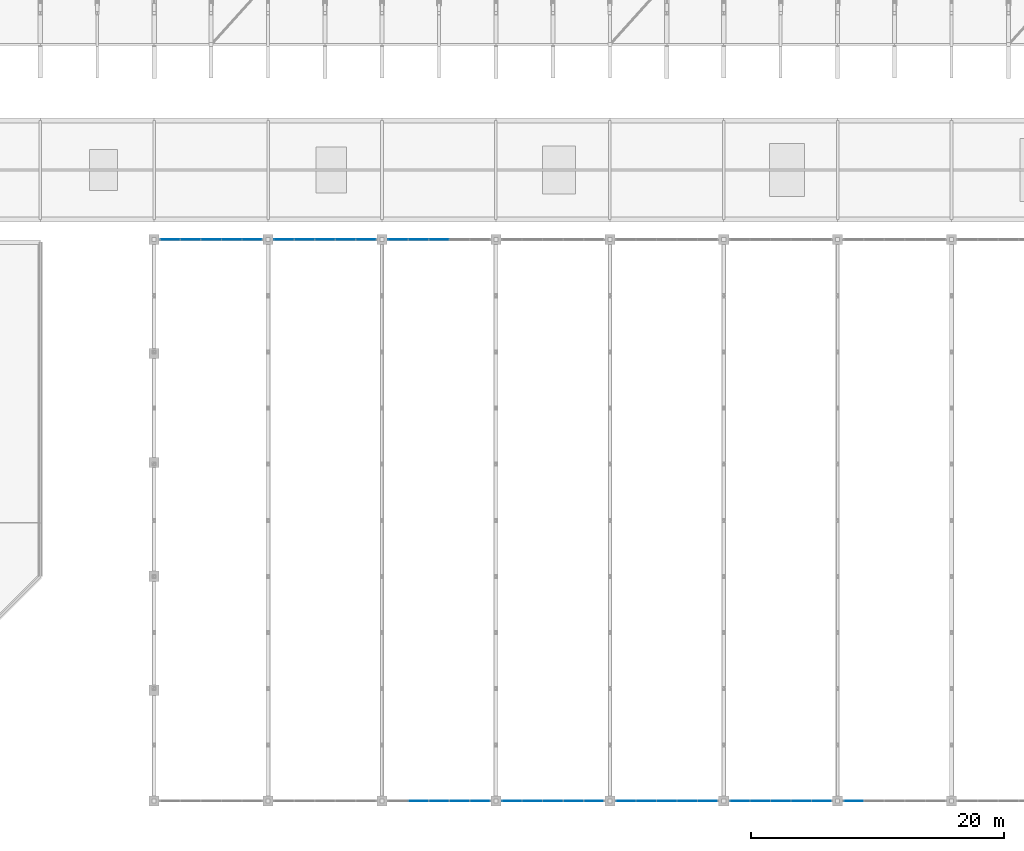
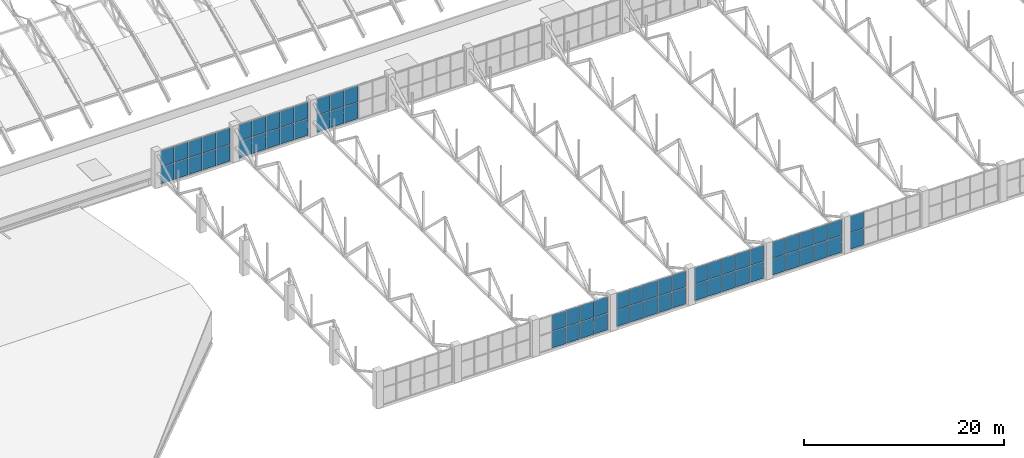
# One storey, part 73 of 103: 66 plates, 8 elements without a shape of their own.
"""IFC4 building model written with IfcOpenShell, lengths in metres."""

from ifc_helpers import new_model, si_unit, direction, frame, origin, origin_2d, place, context, subcontext, project, spatial, rectangle, extrude, material, layer, layer_set, type_object, element, aggregate, save


model = new_model("IFC4")

# Units and contexts
model_context = context("Model", 3, precision=1e-05, world=origin(), true_north=direction((0.0, 1.0)))
body_context = subcontext(model_context, "Body", "Model", "MODEL_VIEW")
ifc_project = project(units=[si_unit("LENGTHUNIT", "METRE"), si_unit("AREAUNIT", "SQUARE_METRE"), si_unit("VOLUMEUNIT", "CUBIC_METRE"), si_unit("PLANEANGLEUNIT", "RADIAN"), si_unit("MASSUNIT", "GRAM", prefix="KILO")], contexts=[model_context])

# Site, building, storey
site_placement = place(None, origin())
site = spatial("IfcSite", under=ifc_project, at=site_placement, CompositionType="ELEMENT")
building_placement = place(site_placement, origin())
building = spatial("IfcBuilding", under=site, at=building_placement, Name="Cazmaro Siding Exhibition Halls", CompositionType="ELEMENT")
storey_placement = place(building_placement, frame((0.0, 0.0, 16.5)))
storey = spatial("IfcBuildingStorey", under=building, at=storey_placement, Name="L03", CompositionType="ELEMENT", Elevation=16.5)

# Curtain wall, plates
ifc_material_1 = material(Name="Anodized Bronze Aluminum and Solar-Control Low-E Glazing", Category="aluminium")
ifc_layer_1 = layer(ifc_material_1, 0.159912109375)
ifc_layer_set_1 = layer_set([ifc_layer_1], Name="Anodized Bronze Aluminum and Solar-Control Low-E Glazing")
curtain_wall_type = type_object("IfcCurtainWallType", Name="CWS-04", PredefinedType="USERDEFINED", material=ifc_layer_set_1)
curtain_wall_1_placement = place(storey_placement, origin())
curtain_wall_1 = element("IfcCurtainWall", 1, at=curtain_wall_1_placement, inside=storey, type_object=curtain_wall_type, Name="Clerestory Curtain Wall CWS-04 CW-081", ObjectType="CLERESTORY CURTAIN WALL", PredefinedType="USERDEFINED")
ifc_material_2 = material(Name="Solar-Control Low-E Double Insulating Glass", Category="glass")
ifc_layer_2 = layer(ifc_material_2, 0.028076171875)
ifc_layer_set_2 = layer_set([ifc_layer_2], Name="Solar-Control Low-E Double Insulating Glass")
plate_type = type_object("IfcPlateType", Name="CWP-04", PredefinedType="CURTAIN_PANEL", material=ifc_layer_set_2)
plate_1_placement = place(storey_placement, frame((79.72900390625, 53.60009765625, 0.06005859375), z_axis=(0.0, 0.0, 1.0), x_axis=(-1.0, 0.0, 0.0)))
plate_1 = element("IfcPlate", 2, at=plate_1_placement, type_object=plate_type, Name="CWS-04 panel 1.1", PredefinedType="CURTAIN_PANEL", context=body_context, shape_type="SweptSolid", body=[
    extrude(rectangle(XDim=1.531982421875, YDim=0.028076171875, at=origin_2d()), origin(), (0.0, 0.0, 1.0), 2.010009765625),
])
plate_2_placement = place(storey_placement, frame((79.72900390625, 53.60009765625, 2.130126953125), z_axis=(0.0, 0.0, 1.0), x_axis=(-1.0, 0.0, 0.0)))
plate_2 = element("IfcPlate", 3, at=plate_2_placement, type_object=plate_type, Name="CWS-04 panel 1.2", PredefinedType="CURTAIN_PANEL", context=body_context, shape_type="SweptSolid", body=[
    extrude(rectangle(XDim=1.531982421875, YDim=0.028076171875, at=origin_2d()), origin(), (0.0, 0.0, 1.0), 1.9599609375),
])
plate_3_placement = place(storey_placement, frame((78.1220703125, 53.60009765625, 0.06005859375), z_axis=(0.0, 0.0, 1.0), x_axis=(-1.0, 0.0, 0.0)))
plate_3 = element("IfcPlate", 4, at=plate_3_placement, type_object=plate_type, Name="CWS-04 panel 2.1", PredefinedType="CURTAIN_PANEL", context=body_context, shape_type="SweptSolid", body=[
    extrude(rectangle(XDim=1.56201171875, YDim=0.028076171875, at=origin_2d()), origin(), (0.0, 0.0, 1.0), 2.010009765625),
])
plate_4_placement = place(storey_placement, frame((78.1220703125, 53.60009765625, 2.130126953125), z_axis=(0.0, 0.0, 1.0), x_axis=(-1.0, 0.0, 0.0)))
plate_4 = element("IfcPlate", 5, at=plate_4_placement, type_object=plate_type, Name="CWS-04 panel 2.2", PredefinedType="CURTAIN_PANEL", context=body_context, shape_type="SweptSolid", body=[
    extrude(rectangle(XDim=1.56201171875, YDim=0.028076171875, at=origin_2d()), origin(), (0.0, 0.0, 1.0), 1.9599609375),
])
plate_5_placement = place(storey_placement, frame((76.5, 53.60009765625, 0.06005859375), z_axis=(0.0, 0.0, 1.0), x_axis=(-1.0, 0.0, 0.0)))
plate_5 = element("IfcPlate", 6, at=plate_5_placement, type_object=plate_type, Name="CWS-04 panel 3.1", PredefinedType="CURTAIN_PANEL", context=body_context, shape_type="SweptSolid", body=[
    extrude(rectangle(XDim=1.56201171875, YDim=0.028076171875, at=origin_2d()), origin(), (0.0, 0.0, 1.0), 2.010009765625),
])
plate_6_placement = place(storey_placement, frame((76.5, 53.60009765625, 2.130126953125), z_axis=(0.0, 0.0, 1.0), x_axis=(-1.0, 0.0, 0.0)))
plate_6 = element("IfcPlate", 7, at=plate_6_placement, type_object=plate_type, Name="CWS-04 panel 3.2", PredefinedType="CURTAIN_PANEL", context=body_context, shape_type="SweptSolid", body=[
    extrude(rectangle(XDim=1.56201171875, YDim=0.028076171875, at=origin_2d()), origin(), (0.0, 0.0, 1.0), 1.9599609375),
])
plate_7_placement = place(storey_placement, frame((74.8779296875, 53.60009765625, 0.06005859375), z_axis=(0.0, 0.0, 1.0), x_axis=(-1.0, 0.0, 0.0)))
plate_7 = element("IfcPlate", 8, at=plate_7_placement, type_object=plate_type, Name="CWS-04 panel 4.1", PredefinedType="CURTAIN_PANEL", context=body_context, shape_type="SweptSolid", body=[
    extrude(rectangle(XDim=1.56201171875, YDim=0.028076171875, at=origin_2d()), origin(), (0.0, 0.0, 1.0), 2.010009765625),
])
plate_8_placement = place(storey_placement, frame((74.8779296875, 53.60009765625, 2.130126953125), z_axis=(0.0, 0.0, 1.0), x_axis=(-1.0, 0.0, 0.0)))
plate_8 = element("IfcPlate", 9, at=plate_8_placement, type_object=plate_type, Name="CWS-04 panel 4.2", PredefinedType="CURTAIN_PANEL", context=body_context, shape_type="SweptSolid", body=[
    extrude(rectangle(XDim=1.56201171875, YDim=0.028076171875, at=origin_2d()), origin(), (0.0, 0.0, 1.0), 1.9599609375),
])
plate_9_placement = place(storey_placement, frame((73.27099609375, 53.60009765625, 0.06005859375), z_axis=(0.0, 0.0, 1.0), x_axis=(-1.0, 0.0, 0.0)))
plate_9 = element("IfcPlate", 10, at=plate_9_placement, type_object=plate_type, Name="CWS-04 panel 5.1", PredefinedType="CURTAIN_PANEL", context=body_context, shape_type="SweptSolid", body=[
    extrude(rectangle(XDim=1.531982421875, YDim=0.028076171875, at=origin_2d()), origin(), (0.0, 0.0, 1.0), 2.010009765625),
])
plate_10_placement = place(storey_placement, frame((73.27099609375, 53.60009765625, 2.130126953125), z_axis=(0.0, 0.0, 1.0), x_axis=(-1.0, 0.0, 0.0)))
plate_10 = element("IfcPlate", 11, at=plate_10_placement, type_object=plate_type, Name="CWS-04 panel 5.2", PredefinedType="CURTAIN_PANEL", context=body_context, shape_type="SweptSolid", body=[
    extrude(rectangle(XDim=1.531982421875, YDim=0.028076171875, at=origin_2d()), origin(), (0.0, 0.0, 1.0), 1.9599609375),
])
aggregate(curtain_wall_1, [plate_1, plate_2, plate_3, plate_4, plate_5, plate_6, plate_7, plate_8, plate_9, plate_10])

curtain_wall_2_placement = place(storey_placement, origin())
curtain_wall_2 = element("IfcCurtainWall", 12, at=curtain_wall_2_placement, inside=storey, type_object=curtain_wall_type, Name="Clerestory Curtain Wall CWS-04 CW-083", ObjectType="CLERESTORY CURTAIN WALL", PredefinedType="USERDEFINED")
plate_11_placement = place(storey_placement, frame((88.72900390625, 53.60009765625, 0.06005859375), z_axis=(0.0, 0.0, 1.0), x_axis=(-1.0, 0.0, 0.0)))
plate_11 = element("IfcPlate", 13, at=plate_11_placement, type_object=plate_type, Name="CWS-04 panel 1.1", PredefinedType="CURTAIN_PANEL", context=body_context, shape_type="SweptSolid", body=[
    extrude(rectangle(XDim=1.531982421875, YDim=0.028076171875, at=origin_2d()), origin(), (0.0, 0.0, 1.0), 2.010009765625),
])
plate_12_placement = place(storey_placement, frame((88.72900390625, 53.60009765625, 2.130126953125), z_axis=(0.0, 0.0, 1.0), x_axis=(-1.0, 0.0, 0.0)))
plate_12 = element("IfcPlate", 14, at=plate_12_placement, type_object=plate_type, Name="CWS-04 panel 1.2", PredefinedType="CURTAIN_PANEL", context=body_context, shape_type="SweptSolid", body=[
    extrude(rectangle(XDim=1.531982421875, YDim=0.028076171875, at=origin_2d()), origin(), (0.0, 0.0, 1.0), 1.9599609375),
])
plate_13_placement = place(storey_placement, frame((87.1220703125, 53.60009765625, 0.06005859375), z_axis=(0.0, 0.0, 1.0), x_axis=(-1.0, 0.0, 0.0)))
plate_13 = element("IfcPlate", 15, at=plate_13_placement, type_object=plate_type, Name="CWS-04 panel 2.1", PredefinedType="CURTAIN_PANEL", context=body_context, shape_type="SweptSolid", body=[
    extrude(rectangle(XDim=1.56201171875, YDim=0.028076171875, at=origin_2d()), origin(), (0.0, 0.0, 1.0), 2.010009765625),
])
plate_14_placement = place(storey_placement, frame((87.1220703125, 53.60009765625, 2.130126953125), z_axis=(0.0, 0.0, 1.0), x_axis=(-1.0, 0.0, 0.0)))
plate_14 = element("IfcPlate", 16, at=plate_14_placement, type_object=plate_type, Name="CWS-04 panel 2.2", PredefinedType="CURTAIN_PANEL", context=body_context, shape_type="SweptSolid", body=[
    extrude(rectangle(XDim=1.56201171875, YDim=0.028076171875, at=origin_2d()), origin(), (0.0, 0.0, 1.0), 1.9599609375),
])
plate_15_placement = place(storey_placement, frame((85.5, 53.60009765625, 0.06005859375), z_axis=(0.0, 0.0, 1.0), x_axis=(-1.0, 0.0, 0.0)))
plate_15 = element("IfcPlate", 17, at=plate_15_placement, type_object=plate_type, Name="CWS-04 panel 3.1", PredefinedType="CURTAIN_PANEL", context=body_context, shape_type="SweptSolid", body=[
    extrude(rectangle(XDim=1.56201171875, YDim=0.028076171875, at=origin_2d()), origin(), (0.0, 0.0, 1.0), 2.010009765625),
])
plate_16_placement = place(storey_placement, frame((85.5, 53.60009765625, 2.130126953125), z_axis=(0.0, 0.0, 1.0), x_axis=(-1.0, 0.0, 0.0)))
plate_16 = element("IfcPlate", 18, at=plate_16_placement, type_object=plate_type, Name="CWS-04 panel 3.2", PredefinedType="CURTAIN_PANEL", context=body_context, shape_type="SweptSolid", body=[
    extrude(rectangle(XDim=1.56201171875, YDim=0.028076171875, at=origin_2d()), origin(), (0.0, 0.0, 1.0), 1.9599609375),
])
plate_17_placement = place(storey_placement, frame((83.8779296875, 53.60009765625, 0.06005859375), z_axis=(0.0, 0.0, 1.0), x_axis=(-1.0, 0.0, 0.0)))
plate_17 = element("IfcPlate", 19, at=plate_17_placement, type_object=plate_type, Name="CWS-04 panel 4.1", PredefinedType="CURTAIN_PANEL", context=body_context, shape_type="SweptSolid", body=[
    extrude(rectangle(XDim=1.56201171875, YDim=0.028076171875, at=origin_2d()), origin(), (0.0, 0.0, 1.0), 2.010009765625),
])
plate_18_placement = place(storey_placement, frame((83.8779296875, 53.60009765625, 2.130126953125), z_axis=(0.0, 0.0, 1.0), x_axis=(-1.0, 0.0, 0.0)))
plate_18 = element("IfcPlate", 20, at=plate_18_placement, type_object=plate_type, Name="CWS-04 panel 4.2", PredefinedType="CURTAIN_PANEL", context=body_context, shape_type="SweptSolid", body=[
    extrude(rectangle(XDim=1.56201171875, YDim=0.028076171875, at=origin_2d()), origin(), (0.0, 0.0, 1.0), 1.9599609375),
])
plate_19_placement = place(storey_placement, frame((82.27099609375, 53.60009765625, 0.06005859375), z_axis=(0.0, 0.0, 1.0), x_axis=(-1.0, 0.0, 0.0)))
plate_19 = element("IfcPlate", 21, at=plate_19_placement, type_object=plate_type, Name="CWS-04 panel 5.1", PredefinedType="CURTAIN_PANEL", context=body_context, shape_type="SweptSolid", body=[
    extrude(rectangle(XDim=1.531982421875, YDim=0.028076171875, at=origin_2d()), origin(), (0.0, 0.0, 1.0), 2.010009765625),
])
plate_20_placement = place(storey_placement, frame((82.27099609375, 53.60009765625, 2.130126953125), z_axis=(0.0, 0.0, 1.0), x_axis=(-1.0, 0.0, 0.0)))
plate_20 = element("IfcPlate", 22, at=plate_20_placement, type_object=plate_type, Name="CWS-04 panel 5.2", PredefinedType="CURTAIN_PANEL", context=body_context, shape_type="SweptSolid", body=[
    extrude(rectangle(XDim=1.531982421875, YDim=0.028076171875, at=origin_2d()), origin(), (0.0, 0.0, 1.0), 1.9599609375),
])
aggregate(curtain_wall_2, [plate_11, plate_12, plate_13, plate_14, plate_15, plate_16, plate_17, plate_18, plate_19, plate_20])

curtain_wall_3_placement = place(storey_placement, origin())
curtain_wall_3 = element("IfcCurtainWall", 23, at=curtain_wall_3_placement, inside=storey, type_object=curtain_wall_type, Name="Clerestory Curtain Wall CWS-04 CW-084", ObjectType="CLERESTORY CURTAIN WALL", PredefinedType="USERDEFINED")
plate_21_placement = place(storey_placement, frame((92.8779296875, 9.25, 0.06005859375), z_axis=(0.0, 0.0, 1.0), x_axis=(1.0, 0.0, 0.0)))
plate_21 = element("IfcPlate", 24, at=plate_21_placement, type_object=plate_type, Name="CWS-04 panel 2.1", PredefinedType="CURTAIN_PANEL", context=body_context, shape_type="SweptSolid", body=[
    extrude(rectangle(XDim=1.56201171875, YDim=0.028076171875, at=origin_2d()), origin(), (0.0, 0.0, 1.0), 2.010009765625),
])
plate_22_placement = place(storey_placement, frame((92.8779296875, 9.25, 2.130126953125), z_axis=(0.0, 0.0, 1.0), x_axis=(1.0, 0.0, 0.0)))
plate_22 = element("IfcPlate", 25, at=plate_22_placement, type_object=plate_type, Name="CWS-04 panel 2.2", PredefinedType="CURTAIN_PANEL", context=body_context, shape_type="SweptSolid", body=[
    extrude(rectangle(XDim=1.56201171875, YDim=0.028076171875, at=origin_2d()), origin(), (0.0, 0.0, 1.0), 1.9599609375),
])
plate_23_placement = place(storey_placement, frame((94.5, 9.25, 0.06005859375), z_axis=(0.0, 0.0, 1.0), x_axis=(1.0, 0.0, 0.0)))
plate_23 = element("IfcPlate", 26, at=plate_23_placement, type_object=plate_type, Name="CWS-04 panel 3.1", PredefinedType="CURTAIN_PANEL", context=body_context, shape_type="SweptSolid", body=[
    extrude(rectangle(XDim=1.56201171875, YDim=0.028076171875, at=origin_2d()), origin(), (0.0, 0.0, 1.0), 2.010009765625),
])
plate_24_placement = place(storey_placement, frame((94.5, 9.25, 2.130126953125), z_axis=(0.0, 0.0, 1.0), x_axis=(1.0, 0.0, 0.0)))
plate_24 = element("IfcPlate", 27, at=plate_24_placement, type_object=plate_type, Name="CWS-04 panel 3.2", PredefinedType="CURTAIN_PANEL", context=body_context, shape_type="SweptSolid", body=[
    extrude(rectangle(XDim=1.56201171875, YDim=0.028076171875, at=origin_2d()), origin(), (0.0, 0.0, 1.0), 1.9599609375),
])
plate_25_placement = place(storey_placement, frame((96.1220703125, 9.25, 0.06005859375), z_axis=(0.0, 0.0, 1.0), x_axis=(1.0, 0.0, 0.0)))
plate_25 = element("IfcPlate", 28, at=plate_25_placement, type_object=plate_type, Name="CWS-04 panel 4.1", PredefinedType="CURTAIN_PANEL", context=body_context, shape_type="SweptSolid", body=[
    extrude(rectangle(XDim=1.56201171875, YDim=0.028076171875, at=origin_2d()), origin(), (0.0, 0.0, 1.0), 2.010009765625),
])
plate_26_placement = place(storey_placement, frame((96.1220703125, 9.25, 2.130126953125), z_axis=(0.0, 0.0, 1.0), x_axis=(1.0, 0.0, 0.0)))
plate_26 = element("IfcPlate", 29, at=plate_26_placement, type_object=plate_type, Name="CWS-04 panel 4.2", PredefinedType="CURTAIN_PANEL", context=body_context, shape_type="SweptSolid", body=[
    extrude(rectangle(XDim=1.56201171875, YDim=0.028076171875, at=origin_2d()), origin(), (0.0, 0.0, 1.0), 1.9599609375),
])
plate_27_placement = place(storey_placement, frame((97.72900390625, 9.25, 0.06005859375), z_axis=(0.0, 0.0, 1.0), x_axis=(1.0, 0.0, 0.0)))
plate_27 = element("IfcPlate", 30, at=plate_27_placement, type_object=plate_type, Name="CWS-04 panel 5.1", PredefinedType="CURTAIN_PANEL", context=body_context, shape_type="SweptSolid", body=[
    extrude(rectangle(XDim=1.531982421875, YDim=0.028076171875, at=origin_2d()), origin(), (0.0, 0.0, 1.0), 2.010009765625),
])
plate_28_placement = place(storey_placement, frame((97.72900390625, 9.25, 2.130126953125), z_axis=(0.0, 0.0, 1.0), x_axis=(1.0, 0.0, 0.0)))
plate_28 = element("IfcPlate", 31, at=plate_28_placement, type_object=plate_type, Name="CWS-04 panel 5.2", PredefinedType="CURTAIN_PANEL", context=body_context, shape_type="SweptSolid", body=[
    extrude(rectangle(XDim=1.531982421875, YDim=0.028076171875, at=origin_2d()), origin(), (0.0, 0.0, 1.0), 1.9599609375),
])
aggregate(curtain_wall_3, [plate_21, plate_22, plate_23, plate_24, plate_25, plate_26, plate_27, plate_28])

curtain_wall_4_placement = place(storey_placement, origin())
curtain_wall_4 = element("IfcCurtainWall", 32, at=curtain_wall_4_placement, inside=storey, type_object=curtain_wall_type, Name="Clerestory Curtain Wall CWS-04 CW-085", ObjectType="CLERESTORY CURTAIN WALL", PredefinedType="USERDEFINED")
plate_29_placement = place(storey_placement, frame((94.5, 53.60009765625, 0.06005859375), z_axis=(0.0, 0.0, 1.0), x_axis=(-1.0, 0.0, 0.0)))
plate_29 = element("IfcPlate", 33, at=plate_29_placement, type_object=plate_type, Name="CWS-04 panel 3.1", PredefinedType="CURTAIN_PANEL", context=body_context, shape_type="SweptSolid", body=[
    extrude(rectangle(XDim=1.56201171875, YDim=0.028076171875, at=origin_2d()), origin(), (0.0, 0.0, 1.0), 2.010009765625),
])
plate_30_placement = place(storey_placement, frame((94.5, 53.60009765625, 2.130126953125), z_axis=(0.0, 0.0, 1.0), x_axis=(-1.0, 0.0, 0.0)))
plate_30 = element("IfcPlate", 34, at=plate_30_placement, type_object=plate_type, Name="CWS-04 panel 3.2", PredefinedType="CURTAIN_PANEL", context=body_context, shape_type="SweptSolid", body=[
    extrude(rectangle(XDim=1.56201171875, YDim=0.028076171875, at=origin_2d()), origin(), (0.0, 0.0, 1.0), 1.9599609375),
])
plate_31_placement = place(storey_placement, frame((92.8779296875, 53.60009765625, 0.06005859375), z_axis=(0.0, 0.0, 1.0), x_axis=(-1.0, 0.0, 0.0)))
plate_31 = element("IfcPlate", 35, at=plate_31_placement, type_object=plate_type, Name="CWS-04 panel 4.1", PredefinedType="CURTAIN_PANEL", context=body_context, shape_type="SweptSolid", body=[
    extrude(rectangle(XDim=1.56201171875, YDim=0.028076171875, at=origin_2d()), origin(), (0.0, 0.0, 1.0), 2.010009765625),
])
plate_32_placement = place(storey_placement, frame((92.8779296875, 53.60009765625, 2.130126953125), z_axis=(0.0, 0.0, 1.0), x_axis=(-1.0, 0.0, 0.0)))
plate_32 = element("IfcPlate", 36, at=plate_32_placement, type_object=plate_type, Name="CWS-04 panel 4.2", PredefinedType="CURTAIN_PANEL", context=body_context, shape_type="SweptSolid", body=[
    extrude(rectangle(XDim=1.56201171875, YDim=0.028076171875, at=origin_2d()), origin(), (0.0, 0.0, 1.0), 1.9599609375),
])
plate_33_placement = place(storey_placement, frame((91.27099609375, 53.60009765625, 0.06005859375), z_axis=(0.0, 0.0, 1.0), x_axis=(-1.0, 0.0, 0.0)))
plate_33 = element("IfcPlate", 37, at=plate_33_placement, type_object=plate_type, Name="CWS-04 panel 5.1", PredefinedType="CURTAIN_PANEL", context=body_context, shape_type="SweptSolid", body=[
    extrude(rectangle(XDim=1.531982421875, YDim=0.028076171875, at=origin_2d()), origin(), (0.0, 0.0, 1.0), 2.010009765625),
])
plate_34_placement = place(storey_placement, frame((91.27099609375, 53.60009765625, 2.130126953125), z_axis=(0.0, 0.0, 1.0), x_axis=(-1.0, 0.0, 0.0)))
plate_34 = element("IfcPlate", 38, at=plate_34_placement, type_object=plate_type, Name="CWS-04 panel 5.2", PredefinedType="CURTAIN_PANEL", context=body_context, shape_type="SweptSolid", body=[
    extrude(rectangle(XDim=1.531982421875, YDim=0.028076171875, at=origin_2d()), origin(), (0.0, 0.0, 1.0), 1.9599609375),
])
aggregate(curtain_wall_4, [plate_29, plate_30, plate_31, plate_32, plate_33, plate_34])

curtain_wall_5_placement = place(storey_placement, origin())
curtain_wall_5 = element("IfcCurtainWall", 39, at=curtain_wall_5_placement, inside=storey, type_object=curtain_wall_type, Name="Clerestory Curtain Wall CWS-04 CW-086", ObjectType="CLERESTORY CURTAIN WALL", PredefinedType="USERDEFINED")
plate_35_placement = place(storey_placement, frame((100.27099609375, 9.25, 0.06005859375), z_axis=(0.0, 0.0, 1.0), x_axis=(1.0, 0.0, 0.0)))
plate_35 = element("IfcPlate", 40, at=plate_35_placement, type_object=plate_type, Name="CWS-04 panel 1.1", PredefinedType="CURTAIN_PANEL", context=body_context, shape_type="SweptSolid", body=[
    extrude(rectangle(XDim=1.531982421875, YDim=0.028076171875, at=origin_2d()), origin(), (0.0, 0.0, 1.0), 2.010009765625),
])
plate_36_placement = place(storey_placement, frame((100.27099609375, 9.25, 2.130126953125), z_axis=(0.0, 0.0, 1.0), x_axis=(1.0, 0.0, 0.0)))
plate_36 = element("IfcPlate", 41, at=plate_36_placement, type_object=plate_type, Name="CWS-04 panel 1.2", PredefinedType="CURTAIN_PANEL", context=body_context, shape_type="SweptSolid", body=[
    extrude(rectangle(XDim=1.531982421875, YDim=0.028076171875, at=origin_2d()), origin(), (0.0, 0.0, 1.0), 1.9599609375),
])
plate_37_placement = place(storey_placement, frame((101.8779296875, 9.25, 0.06005859375), z_axis=(0.0, 0.0, 1.0), x_axis=(1.0, 0.0, 0.0)))
plate_37 = element("IfcPlate", 42, at=plate_37_placement, type_object=plate_type, Name="CWS-04 panel 2.1", PredefinedType="CURTAIN_PANEL", context=body_context, shape_type="SweptSolid", body=[
    extrude(rectangle(XDim=1.56201171875, YDim=0.028076171875, at=origin_2d()), origin(), (0.0, 0.0, 1.0), 2.010009765625),
])
plate_38_placement = place(storey_placement, frame((101.8779296875, 9.25, 2.130126953125), z_axis=(0.0, 0.0, 1.0), x_axis=(1.0, 0.0, 0.0)))
plate_38 = element("IfcPlate", 43, at=plate_38_placement, type_object=plate_type, Name="CWS-04 panel 2.2", PredefinedType="CURTAIN_PANEL", context=body_context, shape_type="SweptSolid", body=[
    extrude(rectangle(XDim=1.56201171875, YDim=0.028076171875, at=origin_2d()), origin(), (0.0, 0.0, 1.0), 1.9599609375),
])
plate_39_placement = place(storey_placement, frame((103.5, 9.25, 0.06005859375), z_axis=(0.0, 0.0, 1.0), x_axis=(1.0, 0.0, 0.0)))
plate_39 = element("IfcPlate", 44, at=plate_39_placement, type_object=plate_type, Name="CWS-04 panel 3.1", PredefinedType="CURTAIN_PANEL", context=body_context, shape_type="SweptSolid", body=[
    extrude(rectangle(XDim=1.56201171875, YDim=0.028076171875, at=origin_2d()), origin(), (0.0, 0.0, 1.0), 2.010009765625),
])
plate_40_placement = place(storey_placement, frame((103.5, 9.25, 2.130126953125), z_axis=(0.0, 0.0, 1.0), x_axis=(1.0, 0.0, 0.0)))
plate_40 = element("IfcPlate", 45, at=plate_40_placement, type_object=plate_type, Name="CWS-04 panel 3.2", PredefinedType="CURTAIN_PANEL", context=body_context, shape_type="SweptSolid", body=[
    extrude(rectangle(XDim=1.56201171875, YDim=0.028076171875, at=origin_2d()), origin(), (0.0, 0.0, 1.0), 1.9599609375),
])
plate_41_placement = place(storey_placement, frame((105.1220703125, 9.25, 0.06005859375), z_axis=(0.0, 0.0, 1.0), x_axis=(1.0, 0.0, 0.0)))
plate_41 = element("IfcPlate", 46, at=plate_41_placement, type_object=plate_type, Name="CWS-04 panel 4.1", PredefinedType="CURTAIN_PANEL", context=body_context, shape_type="SweptSolid", body=[
    extrude(rectangle(XDim=1.56201171875, YDim=0.028076171875, at=origin_2d()), origin(), (0.0, 0.0, 1.0), 2.010009765625),
])
plate_42_placement = place(storey_placement, frame((105.1220703125, 9.25, 2.130126953125), z_axis=(0.0, 0.0, 1.0), x_axis=(1.0, 0.0, 0.0)))
plate_42 = element("IfcPlate", 47, at=plate_42_placement, type_object=plate_type, Name="CWS-04 panel 4.2", PredefinedType="CURTAIN_PANEL", context=body_context, shape_type="SweptSolid", body=[
    extrude(rectangle(XDim=1.56201171875, YDim=0.028076171875, at=origin_2d()), origin(), (0.0, 0.0, 1.0), 1.9599609375),
])
plate_43_placement = place(storey_placement, frame((106.72900390625, 9.25, 0.06005859375), z_axis=(0.0, 0.0, 1.0), x_axis=(1.0, 0.0, 0.0)))
plate_43 = element("IfcPlate", 48, at=plate_43_placement, type_object=plate_type, Name="CWS-04 panel 5.1", PredefinedType="CURTAIN_PANEL", context=body_context, shape_type="SweptSolid", body=[
    extrude(rectangle(XDim=1.531982421875, YDim=0.028076171875, at=origin_2d()), origin(), (0.0, 0.0, 1.0), 2.010009765625),
])
plate_44_placement = place(storey_placement, frame((106.72900390625, 9.25, 2.130126953125), z_axis=(0.0, 0.0, 1.0), x_axis=(1.0, 0.0, 0.0)))
plate_44 = element("IfcPlate", 49, at=plate_44_placement, type_object=plate_type, Name="CWS-04 panel 5.2", PredefinedType="CURTAIN_PANEL", context=body_context, shape_type="SweptSolid", body=[
    extrude(rectangle(XDim=1.531982421875, YDim=0.028076171875, at=origin_2d()), origin(), (0.0, 0.0, 1.0), 1.9599609375),
])
aggregate(curtain_wall_5, [plate_35, plate_36, plate_37, plate_38, plate_39, plate_40, plate_41, plate_42, plate_43, plate_44])

curtain_wall_6_placement = place(storey_placement, origin())
curtain_wall_6 = element("IfcCurtainWall", 50, at=curtain_wall_6_placement, inside=storey, type_object=curtain_wall_type, Name="Clerestory Curtain Wall CWS-04 CW-088", ObjectType="CLERESTORY CURTAIN WALL", PredefinedType="USERDEFINED")
plate_45_placement = place(storey_placement, frame((109.27099609375, 9.25, 0.06005859375), z_axis=(0.0, 0.0, 1.0), x_axis=(1.0, 0.0, 0.0)))
plate_45 = element("IfcPlate", 51, at=plate_45_placement, type_object=plate_type, Name="CWS-04 panel 1.1", PredefinedType="CURTAIN_PANEL", context=body_context, shape_type="SweptSolid", body=[
    extrude(rectangle(XDim=1.531982421875, YDim=0.028076171875, at=origin_2d()), origin(), (0.0, 0.0, 1.0), 2.010009765625),
])
plate_46_placement = place(storey_placement, frame((109.27099609375, 9.25, 2.130126953125), z_axis=(0.0, 0.0, 1.0), x_axis=(1.0, 0.0, 0.0)))
plate_46 = element("IfcPlate", 52, at=plate_46_placement, type_object=plate_type, Name="CWS-04 panel 1.2", PredefinedType="CURTAIN_PANEL", context=body_context, shape_type="SweptSolid", body=[
    extrude(rectangle(XDim=1.531982421875, YDim=0.028076171875, at=origin_2d()), origin(), (0.0, 0.0, 1.0), 1.9599609375),
])
plate_47_placement = place(storey_placement, frame((110.8779296875, 9.25, 0.06005859375), z_axis=(0.0, 0.0, 1.0), x_axis=(1.0, 0.0, 0.0)))
plate_47 = element("IfcPlate", 53, at=plate_47_placement, type_object=plate_type, Name="CWS-04 panel 2.1", PredefinedType="CURTAIN_PANEL", context=body_context, shape_type="SweptSolid", body=[
    extrude(rectangle(XDim=1.56201171875, YDim=0.028076171875, at=origin_2d()), origin(), (0.0, 0.0, 1.0), 2.010009765625),
])
plate_48_placement = place(storey_placement, frame((110.8779296875, 9.25, 2.130126953125), z_axis=(0.0, 0.0, 1.0), x_axis=(1.0, 0.0, 0.0)))
plate_48 = element("IfcPlate", 54, at=plate_48_placement, type_object=plate_type, Name="CWS-04 panel 2.2", PredefinedType="CURTAIN_PANEL", context=body_context, shape_type="SweptSolid", body=[
    extrude(rectangle(XDim=1.56201171875, YDim=0.028076171875, at=origin_2d()), origin(), (0.0, 0.0, 1.0), 1.9599609375),
])
plate_49_placement = place(storey_placement, frame((112.5, 9.25, 0.06005859375), z_axis=(0.0, 0.0, 1.0), x_axis=(1.0, 0.0, 0.0)))
plate_49 = element("IfcPlate", 55, at=plate_49_placement, type_object=plate_type, Name="CWS-04 panel 3.1", PredefinedType="CURTAIN_PANEL", context=body_context, shape_type="SweptSolid", body=[
    extrude(rectangle(XDim=1.56201171875, YDim=0.028076171875, at=origin_2d()), origin(), (0.0, 0.0, 1.0), 2.010009765625),
])
plate_50_placement = place(storey_placement, frame((112.5, 9.25, 2.130126953125), z_axis=(0.0, 0.0, 1.0), x_axis=(1.0, 0.0, 0.0)))
plate_50 = element("IfcPlate", 56, at=plate_50_placement, type_object=plate_type, Name="CWS-04 panel 3.2", PredefinedType="CURTAIN_PANEL", context=body_context, shape_type="SweptSolid", body=[
    extrude(rectangle(XDim=1.56201171875, YDim=0.028076171875, at=origin_2d()), origin(), (0.0, 0.0, 1.0), 1.9599609375),
])
plate_51_placement = place(storey_placement, frame((114.1220703125, 9.25, 0.06005859375), z_axis=(0.0, 0.0, 1.0), x_axis=(1.0, 0.0, 0.0)))
plate_51 = element("IfcPlate", 57, at=plate_51_placement, type_object=plate_type, Name="CWS-04 panel 4.1", PredefinedType="CURTAIN_PANEL", context=body_context, shape_type="SweptSolid", body=[
    extrude(rectangle(XDim=1.56201171875, YDim=0.028076171875, at=origin_2d()), origin(), (0.0, 0.0, 1.0), 2.010009765625),
])
plate_52_placement = place(storey_placement, frame((114.1220703125, 9.25, 2.130126953125), z_axis=(0.0, 0.0, 1.0), x_axis=(1.0, 0.0, 0.0)))
plate_52 = element("IfcPlate", 58, at=plate_52_placement, type_object=plate_type, Name="CWS-04 panel 4.2", PredefinedType="CURTAIN_PANEL", context=body_context, shape_type="SweptSolid", body=[
    extrude(rectangle(XDim=1.56201171875, YDim=0.028076171875, at=origin_2d()), origin(), (0.0, 0.0, 1.0), 1.9599609375),
])
plate_53_placement = place(storey_placement, frame((115.72900390625, 9.25, 0.06005859375), z_axis=(0.0, 0.0, 1.0), x_axis=(1.0, 0.0, 0.0)))
plate_53 = element("IfcPlate", 59, at=plate_53_placement, type_object=plate_type, Name="CWS-04 panel 5.1", PredefinedType="CURTAIN_PANEL", context=body_context, shape_type="SweptSolid", body=[
    extrude(rectangle(XDim=1.531982421875, YDim=0.028076171875, at=origin_2d()), origin(), (0.0, 0.0, 1.0), 2.010009765625),
])
plate_54_placement = place(storey_placement, frame((115.72900390625, 9.25, 2.130126953125), z_axis=(0.0, 0.0, 1.0), x_axis=(1.0, 0.0, 0.0)))
plate_54 = element("IfcPlate", 60, at=plate_54_placement, type_object=plate_type, Name="CWS-04 panel 5.2", PredefinedType="CURTAIN_PANEL", context=body_context, shape_type="SweptSolid", body=[
    extrude(rectangle(XDim=1.531982421875, YDim=0.028076171875, at=origin_2d()), origin(), (0.0, 0.0, 1.0), 1.9599609375),
])
aggregate(curtain_wall_6, [plate_45, plate_46, plate_47, plate_48, plate_49, plate_50, plate_51, plate_52, plate_53, plate_54])

curtain_wall_7_placement = place(storey_placement, origin())
curtain_wall_7 = element("IfcCurtainWall", 61, at=curtain_wall_7_placement, inside=storey, type_object=curtain_wall_type, Name="Clerestory Curtain Wall CWS-04 CW-090", ObjectType="CLERESTORY CURTAIN WALL", PredefinedType="USERDEFINED")
plate_55_placement = place(storey_placement, frame((118.27099609375, 9.25, 0.06005859375), z_axis=(0.0, 0.0, 1.0), x_axis=(1.0, 0.0, 0.0)))
plate_55 = element("IfcPlate", 62, at=plate_55_placement, type_object=plate_type, Name="CWS-04 panel 1.1", PredefinedType="CURTAIN_PANEL", context=body_context, shape_type="SweptSolid", body=[
    extrude(rectangle(XDim=1.531982421875, YDim=0.028076171875, at=origin_2d()), origin(), (0.0, 0.0, 1.0), 2.010009765625),
])
plate_56_placement = place(storey_placement, frame((118.27099609375, 9.25, 2.130126953125), z_axis=(0.0, 0.0, 1.0), x_axis=(1.0, 0.0, 0.0)))
plate_56 = element("IfcPlate", 63, at=plate_56_placement, type_object=plate_type, Name="CWS-04 panel 1.2", PredefinedType="CURTAIN_PANEL", context=body_context, shape_type="SweptSolid", body=[
    extrude(rectangle(XDim=1.531982421875, YDim=0.028076171875, at=origin_2d()), origin(), (0.0, 0.0, 1.0), 1.9599609375),
])
plate_57_placement = place(storey_placement, frame((119.8779296875, 9.25, 0.06005859375), z_axis=(0.0, 0.0, 1.0), x_axis=(1.0, 0.0, 0.0)))
plate_57 = element("IfcPlate", 64, at=plate_57_placement, type_object=plate_type, Name="CWS-04 panel 2.1", PredefinedType="CURTAIN_PANEL", context=body_context, shape_type="SweptSolid", body=[
    extrude(rectangle(XDim=1.56201171875, YDim=0.028076171875, at=origin_2d()), origin(), (0.0, 0.0, 1.0), 2.010009765625),
])
plate_58_placement = place(storey_placement, frame((119.8779296875, 9.25, 2.130126953125), z_axis=(0.0, 0.0, 1.0), x_axis=(1.0, 0.0, 0.0)))
plate_58 = element("IfcPlate", 65, at=plate_58_placement, type_object=plate_type, Name="CWS-04 panel 2.2", PredefinedType="CURTAIN_PANEL", context=body_context, shape_type="SweptSolid", body=[
    extrude(rectangle(XDim=1.56201171875, YDim=0.028076171875, at=origin_2d()), origin(), (0.0, 0.0, 1.0), 1.9599609375),
])
plate_59_placement = place(storey_placement, frame((121.5, 9.25, 0.06005859375), z_axis=(0.0, 0.0, 1.0), x_axis=(1.0, 0.0, 0.0)))
plate_59 = element("IfcPlate", 66, at=plate_59_placement, type_object=plate_type, Name="CWS-04 panel 3.1", PredefinedType="CURTAIN_PANEL", context=body_context, shape_type="SweptSolid", body=[
    extrude(rectangle(XDim=1.56201171875, YDim=0.028076171875, at=origin_2d()), origin(), (0.0, 0.0, 1.0), 2.010009765625),
])
plate_60_placement = place(storey_placement, frame((121.5, 9.25, 2.130126953125), z_axis=(0.0, 0.0, 1.0), x_axis=(1.0, 0.0, 0.0)))
plate_60 = element("IfcPlate", 67, at=plate_60_placement, type_object=plate_type, Name="CWS-04 panel 3.2", PredefinedType="CURTAIN_PANEL", context=body_context, shape_type="SweptSolid", body=[
    extrude(rectangle(XDim=1.56201171875, YDim=0.028076171875, at=origin_2d()), origin(), (0.0, 0.0, 1.0), 1.9599609375),
])
plate_61_placement = place(storey_placement, frame((123.1220703125, 9.25, 0.06005859375), z_axis=(0.0, 0.0, 1.0), x_axis=(1.0, 0.0, 0.0)))
plate_61 = element("IfcPlate", 68, at=plate_61_placement, type_object=plate_type, Name="CWS-04 panel 4.1", PredefinedType="CURTAIN_PANEL", context=body_context, shape_type="SweptSolid", body=[
    extrude(rectangle(XDim=1.56201171875, YDim=0.028076171875, at=origin_2d()), origin(), (0.0, 0.0, 1.0), 2.010009765625),
])
plate_62_placement = place(storey_placement, frame((123.1220703125, 9.25, 2.130126953125), z_axis=(0.0, 0.0, 1.0), x_axis=(1.0, 0.0, 0.0)))
plate_62 = element("IfcPlate", 69, at=plate_62_placement, type_object=plate_type, Name="CWS-04 panel 4.2", PredefinedType="CURTAIN_PANEL", context=body_context, shape_type="SweptSolid", body=[
    extrude(rectangle(XDim=1.56201171875, YDim=0.028076171875, at=origin_2d()), origin(), (0.0, 0.0, 1.0), 1.9599609375),
])
plate_63_placement = place(storey_placement, frame((124.72900390625, 9.25, 0.06005859375), z_axis=(0.0, 0.0, 1.0), x_axis=(1.0, 0.0, 0.0)))
plate_63 = element("IfcPlate", 70, at=plate_63_placement, type_object=plate_type, Name="CWS-04 panel 5.1", PredefinedType="CURTAIN_PANEL", context=body_context, shape_type="SweptSolid", body=[
    extrude(rectangle(XDim=1.531982421875, YDim=0.028076171875, at=origin_2d()), origin(), (0.0, 0.0, 1.0), 2.010009765625),
])
plate_64_placement = place(storey_placement, frame((124.72900390625, 9.25, 2.130126953125), z_axis=(0.0, 0.0, 1.0), x_axis=(1.0, 0.0, 0.0)))
plate_64 = element("IfcPlate", 71, at=plate_64_placement, type_object=plate_type, Name="CWS-04 panel 5.2", PredefinedType="CURTAIN_PANEL", context=body_context, shape_type="SweptSolid", body=[
    extrude(rectangle(XDim=1.531982421875, YDim=0.028076171875, at=origin_2d()), origin(), (0.0, 0.0, 1.0), 1.9599609375),
])
aggregate(curtain_wall_7, [plate_55, plate_56, plate_57, plate_58, plate_59, plate_60, plate_61, plate_62, plate_63, plate_64])

curtain_wall_8_placement = place(storey_placement, origin())
curtain_wall_8 = element("IfcCurtainWall", 72, at=curtain_wall_8_placement, inside=storey, type_object=curtain_wall_type, Name="Clerestory Curtain Wall CWS-04 CW-092", ObjectType="CLERESTORY CURTAIN WALL", PredefinedType="USERDEFINED")
plate_65_placement = place(storey_placement, frame((127.27099609375, 9.25, 0.06005859375), z_axis=(0.0, 0.0, 1.0), x_axis=(1.0, 0.0, 0.0)))
plate_65 = element("IfcPlate", 73, at=plate_65_placement, type_object=plate_type, Name="CWS-04 panel 1.1", PredefinedType="CURTAIN_PANEL", context=body_context, shape_type="SweptSolid", body=[
    extrude(rectangle(XDim=1.531982421875, YDim=0.028076171875, at=origin_2d()), origin(), (0.0, 0.0, 1.0), 2.010009765625),
])
plate_66_placement = place(storey_placement, frame((127.27099609375, 9.25, 2.130126953125), z_axis=(0.0, 0.0, 1.0), x_axis=(1.0, 0.0, 0.0)))
plate_66 = element("IfcPlate", 74, at=plate_66_placement, type_object=plate_type, Name="CWS-04 panel 1.2", PredefinedType="CURTAIN_PANEL", context=body_context, shape_type="SweptSolid", body=[
    extrude(rectangle(XDim=1.531982421875, YDim=0.028076171875, at=origin_2d()), origin(), (0.0, 0.0, 1.0), 1.9599609375),
])
aggregate(curtain_wall_8, [plate_65, plate_66])

save(model, "model.ifc")
